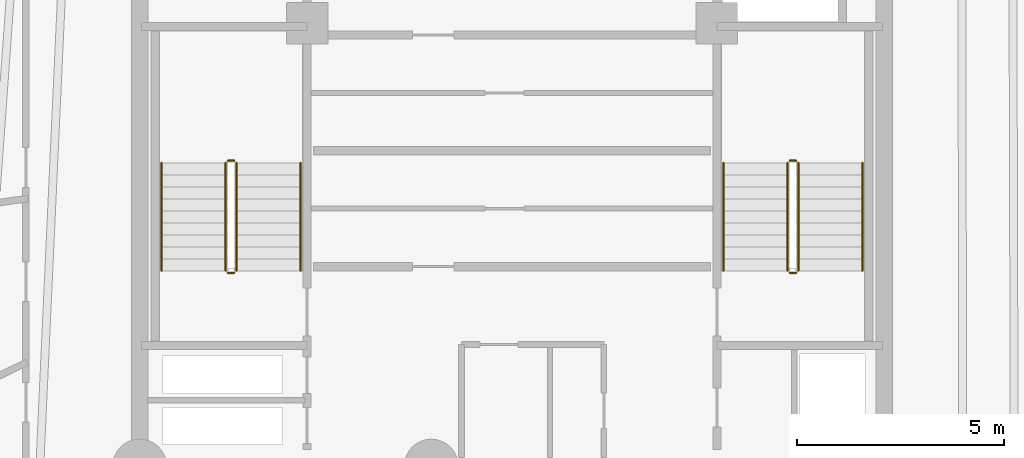
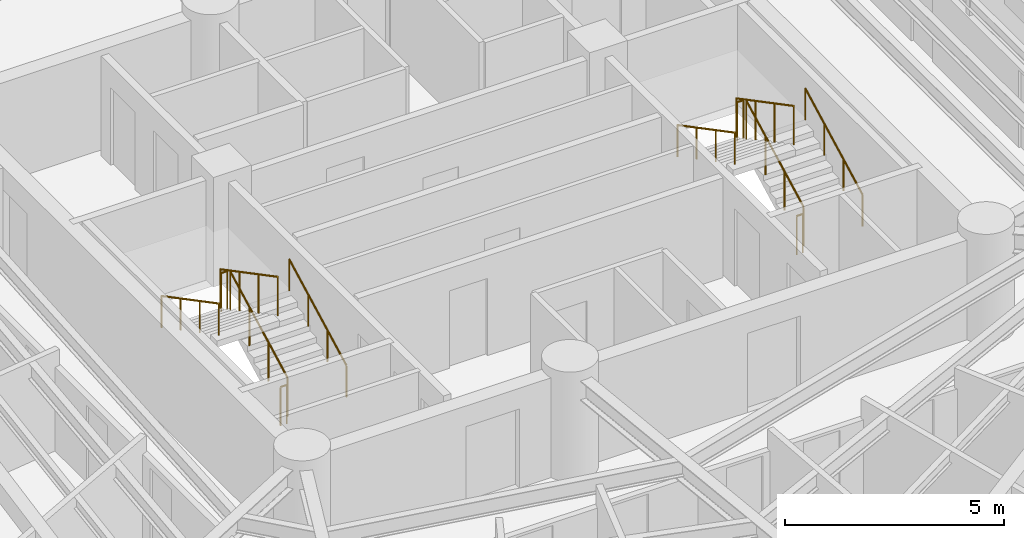
# One storey, part 7 of 7: 12 railings.
"""IFC4 building model written with IfcOpenShell, lengths in metres."""

from ifc_helpers import new_model, si_unit, direction, frame, origin, origin_2d, place, context, subcontext, project, spatial, circle, extrude, material, layer, layer_set, type_object, element, save


model = new_model("IFC4")

# Units and contexts
model_context = context("Model", 3, precision=1e-05, world=origin(), true_north=direction((0.0, 1.0)))
body_context = subcontext(model_context, "Body", "Model", "MODEL_VIEW")
ifc_project = project(units=[si_unit("LENGTHUNIT", "METRE"), si_unit("AREAUNIT", "SQUARE_METRE"), si_unit("VOLUMEUNIT", "CUBIC_METRE"), si_unit("PLANEANGLEUNIT", "RADIAN"), si_unit("MASSUNIT", "GRAM", prefix="KILO")], contexts=[model_context])

# Site, building, storey
site_placement = place(None, origin())
site = spatial("IfcSite", under=ifc_project, at=site_placement, CompositionType="ELEMENT")
building_placement = place(site_placement, origin())
building = spatial("IfcBuilding", under=site, at=building_placement, Name="Karkom Vertical University and Central Library", CompositionType="ELEMENT")
storey_placement = place(building_placement, frame((0.0, 0.0, 205.35009765625)))
storey = spatial("IfcBuildingStorey", under=building, at=storey_placement, Name="L60", CompositionType="ELEMENT", Elevation=205.35009765625)

# Railings
ifc_material_1 = material(Name="Painted galvanised steel balustrade", Category="steel")
ifc_layer_1 = layer(ifc_material_1, 0.06005859375)
ifc_layer_set_1 = layer_set([ifc_layer_1], Name="Painted galvanised steel balustrade")
railing_type_1 = type_object("IfcRailingType", Name="INT-RL-GUARD1100", PredefinedType="GUARDRAIL", material=ifc_layer_set_1)
railing_1_placement = place(storey_placement, frame((21.840087890625, 23.02001953125, 0.15234375)))
element("IfcRailing", 1, at=railing_1_placement, inside=storey, type_object=railing_type_1, Name="Level 60 ST-1 stair guard 1", PredefinedType="GUARDRAIL", context=body_context, shape_type="SweptSolid", body=[
    extrude(circle(Radius=0.02392578125, at=origin_2d()), frame((0.0, 0.0, 1.076171875), z_axis=(0.0, 0.885065446896, 0.46546659892), x_axis=(-1.0, 0.0, 0.0)), (0.0, 0.0, 1.0), 2.94873046875),
    extrude(circle(Radius=0.02099609375, at=origin_2d()), origin(), (0.0, 0.0, 1.0), 1.052001953125),
    extrude(circle(Radius=0.02099609375, at=origin_2d()), frame((0.0, 0.869873046875, 0.45751953125)), (0.0, 0.0, 1.0), 1.052001953125),
    extrude(circle(Radius=0.02099609375, at=origin_2d()), frame((0.0, 1.739990234375, 0.9150390625)), (0.0, 0.0, 1.0), 1.052001953125),
    extrude(circle(Radius=0.02099609375, at=origin_2d()), frame((0.0, 2.60986328125, 1.37255859375)), (0.0, 0.0, 1.0), 1.052001953125),
])
railing_2_placement = place(storey_placement, frame((21.7900390625, 25.679931640625, 1.52490234375)))
element("IfcRailing", 2, at=railing_2_placement, inside=storey, type_object=railing_type_1, Name="Level 60 ST-1 stair guard 2", PredefinedType="GUARDRAIL", context=body_context, shape_type="SweptSolid", body=[
    extrude(circle(Radius=0.02392578125, at=origin_2d()), frame((0.0, 0.0, 1.076171875), z_axis=(-1.0, 0.0, 0.0), x_axis=(0.0, -1.0, 0.0)), (0.0, 0.0, 1.0), 0.16015625),
    extrude(circle(Radius=0.02099609375, at=origin_2d()), origin(), (0.0, 0.0, 1.0), 1.052001953125),
    extrude(circle(Radius=0.02099609375, at=origin_2d()), frame((-0.16015625, 0.0, 0.0)), (0.0, 0.0, 1.0), 1.052001953125),
])
railing_3_placement = place(storey_placement, frame((21.580078125, 25.6298828125, 1.677490234375)))
element("IfcRailing", 3, at=railing_3_placement, inside=storey, type_object=railing_type_1, Name="Level 60 ST-1 stair guard 3", PredefinedType="GUARDRAIL", context=body_context, shape_type="SweptSolid", body=[
    extrude(circle(Radius=0.02392578125, at=origin_2d()), frame((0.0, 0.0, 1.076171875), z_axis=(0.0, -0.885099554253, 0.465401739426), x_axis=(1.0, 0.0, 0.0)), (0.0, 0.0, 1.0), 2.94873046875),
    extrude(circle(Radius=0.02099609375, at=origin_2d()), origin(), (0.0, 0.0, 1.0), 1.052001953125),
    extrude(circle(Radius=0.02099609375, at=origin_2d()), frame((0.0, -0.869873046875, 0.45751953125)), (0.0, 0.0, 1.0), 1.052001953125),
    extrude(circle(Radius=0.02099609375, at=origin_2d()), frame((0.0, -1.739990234375, 0.914794921875)), (0.0, 0.0, 1.0), 1.052001953125),
    extrude(circle(Radius=0.02099609375, at=origin_2d()), frame((0.0, -2.60986328125, 1.372314453125)), (0.0, 0.0, 1.0), 1.052001953125),
])
railing_4_placement = place(storey_placement, frame((21.7900390625, 22.969970703125, 0.0)))
element("IfcRailing", 4, at=railing_4_placement, inside=storey, type_object=railing_type_1, Name="Level 60 ST-1 stair guard 4", PredefinedType="GUARDRAIL", context=body_context, shape_type="SweptSolid", body=[
    extrude(circle(Radius=0.02392578125, at=origin_2d()), frame((0.0, 0.0, 1.076171875), z_axis=(-1.0, 0.0, 0.0), x_axis=(0.0, -1.0, 0.0)), (0.0, 0.0, 1.0), 0.16015625),
    extrude(circle(Radius=0.02099609375, at=origin_2d()), origin(), (0.0, 0.0, 1.0), 1.052001953125),
    extrude(circle(Radius=0.02099609375, at=origin_2d()), frame((-0.16015625, 0.0, 0.0)), (0.0, 0.0, 1.0), 1.052001953125),
])
railing_5_placement = place(storey_placement, frame((35.419921875, 23.02001953125, 0.15234375)))
element("IfcRailing", 5, at=railing_5_placement, inside=storey, type_object=railing_type_1, Name="Level 60 ST-2 stair guard 1", PredefinedType="GUARDRAIL", context=body_context, shape_type="SweptSolid", body=[
    extrude(circle(Radius=0.02392578125, at=origin_2d()), frame((0.0, 0.0, 1.076171875), z_axis=(0.0, 0.885065446896, 0.46546659892), x_axis=(-1.0, 0.0, 0.0)), (0.0, 0.0, 1.0), 2.94873046875),
    extrude(circle(Radius=0.02099609375, at=origin_2d()), origin(), (0.0, 0.0, 1.0), 1.052001953125),
    extrude(circle(Radius=0.02099609375, at=origin_2d()), frame((0.0, 0.869873046875, 0.45751953125)), (0.0, 0.0, 1.0), 1.052001953125),
    extrude(circle(Radius=0.02099609375, at=origin_2d()), frame((0.0, 1.739990234375, 0.9150390625)), (0.0, 0.0, 1.0), 1.052001953125),
    extrude(circle(Radius=0.02099609375, at=origin_2d()), frame((0.0, 2.60986328125, 1.37255859375)), (0.0, 0.0, 1.0), 1.052001953125),
])
railing_6_placement = place(storey_placement, frame((35.3701171875, 25.679931640625, 1.52490234375)))
element("IfcRailing", 6, at=railing_6_placement, inside=storey, type_object=railing_type_1, Name="Level 60 ST-2 stair guard 2", PredefinedType="GUARDRAIL", context=body_context, shape_type="SweptSolid", body=[
    extrude(circle(Radius=0.02392578125, at=origin_2d()), frame((0.0, 0.0, 1.076171875), z_axis=(-1.0, 0.0, 0.0), x_axis=(0.0, -1.0, 0.0)), (0.0, 0.0, 1.0), 0.16015625),
    extrude(circle(Radius=0.02099609375, at=origin_2d()), origin(), (0.0, 0.0, 1.0), 1.052001953125),
    extrude(circle(Radius=0.02099609375, at=origin_2d()), frame((-0.16015625, 0.0, 0.0)), (0.0, 0.0, 1.0), 1.052001953125),
])
railing_7_placement = place(storey_placement, frame((35.159912109375, 25.6298828125, 1.677490234375)))
element("IfcRailing", 7, at=railing_7_placement, inside=storey, type_object=railing_type_1, Name="Level 60 ST-2 stair guard 3", PredefinedType="GUARDRAIL", context=body_context, shape_type="SweptSolid", body=[
    extrude(circle(Radius=0.02392578125, at=origin_2d()), frame((0.0, 0.0, 1.076171875), z_axis=(0.0, -0.885099554253, 0.465401739426), x_axis=(1.0, 0.0, 0.0)), (0.0, 0.0, 1.0), 2.94873046875),
    extrude(circle(Radius=0.02099609375, at=origin_2d()), origin(), (0.0, 0.0, 1.0), 1.052001953125),
    extrude(circle(Radius=0.02099609375, at=origin_2d()), frame((0.0, -0.869873046875, 0.45751953125)), (0.0, 0.0, 1.0), 1.052001953125),
    extrude(circle(Radius=0.02099609375, at=origin_2d()), frame((0.0, -1.739990234375, 0.914794921875)), (0.0, 0.0, 1.0), 1.052001953125),
    extrude(circle(Radius=0.02099609375, at=origin_2d()), frame((0.0, -2.60986328125, 1.372314453125)), (0.0, 0.0, 1.0), 1.052001953125),
])
railing_8_placement = place(storey_placement, frame((35.3701171875, 22.969970703125, 0.0)))
element("IfcRailing", 8, at=railing_8_placement, inside=storey, type_object=railing_type_1, Name="Level 60 ST-2 stair guard 4", PredefinedType="GUARDRAIL", context=body_context, shape_type="SweptSolid", body=[
    extrude(circle(Radius=0.02392578125, at=origin_2d()), frame((0.0, 0.0, 1.076171875), z_axis=(-1.0, 0.0, 0.0), x_axis=(0.0, -1.0, 0.0)), (0.0, 0.0, 1.0), 0.16015625),
    extrude(circle(Radius=0.02099609375, at=origin_2d()), origin(), (0.0, 0.0, 1.0), 1.052001953125),
    extrude(circle(Radius=0.02099609375, at=origin_2d()), frame((-0.16015625, 0.0, 0.0)), (0.0, 0.0, 1.0), 1.052001953125),
])
ifc_material_2 = material(Name="Brushed stainless-steel tubular handrail", Category="steel")
ifc_layer_2 = layer(ifc_material_2, 0.048095703125)
ifc_layer_set_2 = layer_set([ifc_layer_2], Name="Brushed stainless-steel tubular handrail")
railing_type_2 = type_object("IfcRailingType", Name="INT-RL-HAND920", PredefinedType="HANDRAIL", material=ifc_layer_set_2)
railing_9_placement = place(storey_placement, frame((23.389892578125, 23.02001953125, 0.15234375)))
element("IfcRailing", 9, at=railing_9_placement, inside=storey, type_object=railing_type_2, Name="Level 60 ST-1 stair handrail 1", PredefinedType="HANDRAIL", context=body_context, shape_type="SweptSolid", body=[
    extrude(circle(Radius=0.02392578125, at=origin_2d()), frame((0.0, 0.0, 0.8759765625), z_axis=(0.0, 0.885065446896, 0.46546659892), x_axis=(-1.0, 0.0, 0.0)), (0.0, 0.0, 1.0), 2.94873046875),
    extrude(circle(Radius=0.02099609375, at=origin_2d()), origin(), (0.0, 0.0, 1.0), 0.851806640625),
    extrude(circle(Radius=0.02099609375, at=origin_2d()), frame((0.0, 0.869873046875, 0.45751953125)), (0.0, 0.0, 1.0), 0.851806640625),
    extrude(circle(Radius=0.02099609375, at=origin_2d()), frame((0.0, 1.739990234375, 0.9150390625)), (0.0, 0.0, 1.0), 0.851806640625),
    extrude(circle(Radius=0.02099609375, at=origin_2d()), frame((0.0, 2.60986328125, 1.37255859375)), (0.0, 0.0, 1.0), 0.851806640625),
])
railing_10_placement = place(storey_placement, frame((20.030029296875, 25.6298828125, 1.677490234375)))
element("IfcRailing", 10, at=railing_10_placement, inside=storey, type_object=railing_type_2, Name="Level 60 ST-1 stair handrail 2", PredefinedType="HANDRAIL", context=body_context, shape_type="SweptSolid", body=[
    extrude(circle(Radius=0.02392578125, at=origin_2d()), frame((0.0, 0.0, 0.8759765625), z_axis=(0.0, -0.885099554253, 0.465401739426), x_axis=(1.0, 0.0, 0.0)), (0.0, 0.0, 1.0), 2.94873046875),
    extrude(circle(Radius=0.02099609375, at=origin_2d()), origin(), (0.0, 0.0, 1.0), 0.851806640625),
    extrude(circle(Radius=0.02099609375, at=origin_2d()), frame((0.0, -0.869873046875, 0.45751953125)), (0.0, 0.0, 1.0), 0.851806640625),
    extrude(circle(Radius=0.02099609375, at=origin_2d()), frame((0.0, -1.739990234375, 0.914794921875)), (0.0, 0.0, 1.0), 0.851806640625),
    extrude(circle(Radius=0.02099609375, at=origin_2d()), frame((0.0, -2.60986328125, 1.372314453125)), (0.0, 0.0, 1.0), 0.851806640625),
])
railing_11_placement = place(storey_placement, frame((36.969970703125, 23.02001953125, 0.15234375)))
element("IfcRailing", 11, at=railing_11_placement, inside=storey, type_object=railing_type_2, Name="Level 60 ST-2 stair handrail 1", PredefinedType="HANDRAIL", context=body_context, shape_type="SweptSolid", body=[
    extrude(circle(Radius=0.02392578125, at=origin_2d()), frame((0.0, 0.0, 0.8759765625), z_axis=(0.0, 0.885065446896, 0.46546659892), x_axis=(-1.0, 0.0, 0.0)), (0.0, 0.0, 1.0), 2.94873046875),
    extrude(circle(Radius=0.02099609375, at=origin_2d()), origin(), (0.0, 0.0, 1.0), 0.851806640625),
    extrude(circle(Radius=0.02099609375, at=origin_2d()), frame((0.0, 0.869873046875, 0.45751953125)), (0.0, 0.0, 1.0), 0.851806640625),
    extrude(circle(Radius=0.02099609375, at=origin_2d()), frame((0.0, 1.739990234375, 0.9150390625)), (0.0, 0.0, 1.0), 0.851806640625),
    extrude(circle(Radius=0.02099609375, at=origin_2d()), frame((0.0, 2.60986328125, 1.37255859375)), (0.0, 0.0, 1.0), 0.851806640625),
])
railing_12_placement = place(storey_placement, frame((33.610107421875, 25.6298828125, 1.677490234375)))
element("IfcRailing", 12, at=railing_12_placement, inside=storey, type_object=railing_type_2, Name="Level 60 ST-2 stair handrail 2", PredefinedType="HANDRAIL", context=body_context, shape_type="SweptSolid", body=[
    extrude(circle(Radius=0.02392578125, at=origin_2d()), frame((0.0, 0.0, 0.8759765625), z_axis=(0.0, -0.885099554253, 0.465401739426), x_axis=(1.0, 0.0, 0.0)), (0.0, 0.0, 1.0), 2.94873046875),
    extrude(circle(Radius=0.02099609375, at=origin_2d()), origin(), (0.0, 0.0, 1.0), 0.851806640625),
    extrude(circle(Radius=0.02099609375, at=origin_2d()), frame((0.0, -0.869873046875, 0.45751953125)), (0.0, 0.0, 1.0), 0.851806640625),
    extrude(circle(Radius=0.02099609375, at=origin_2d()), frame((0.0, -1.739990234375, 0.914794921875)), (0.0, 0.0, 1.0), 0.851806640625),
    extrude(circle(Radius=0.02099609375, at=origin_2d()), frame((0.0, -2.60986328125, 1.372314453125)), (0.0, 0.0, 1.0), 0.851806640625),
])

save(model, "model.ifc")
